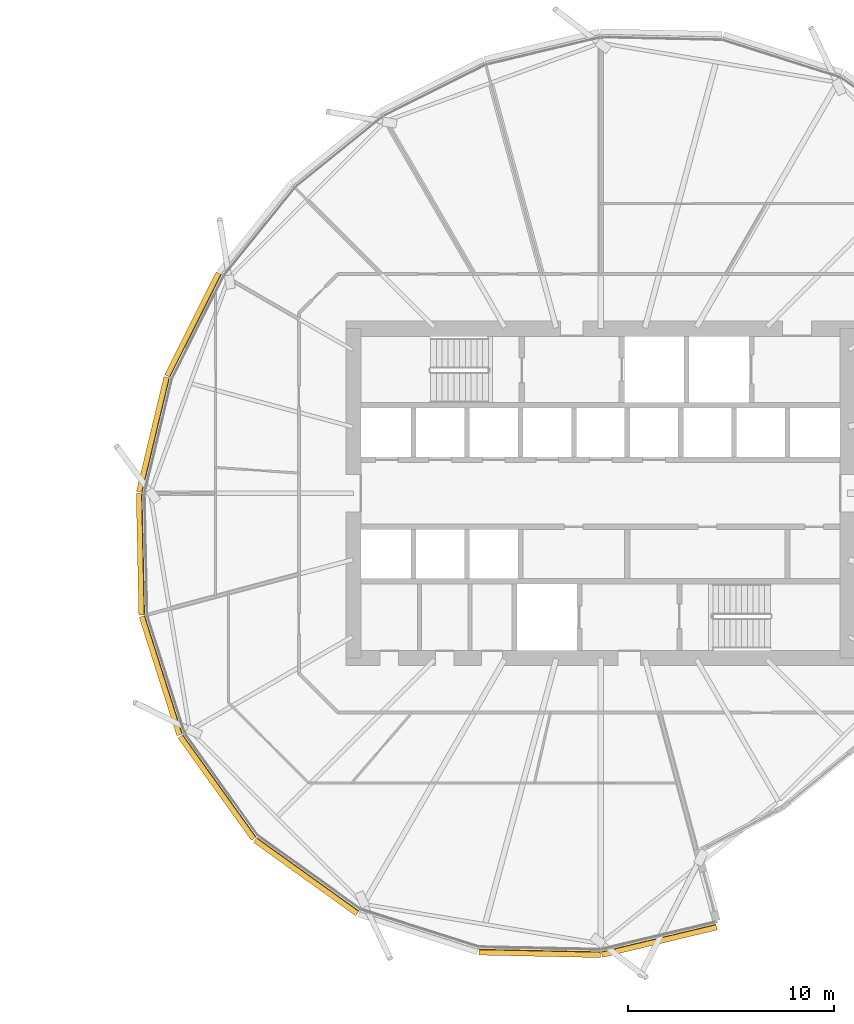
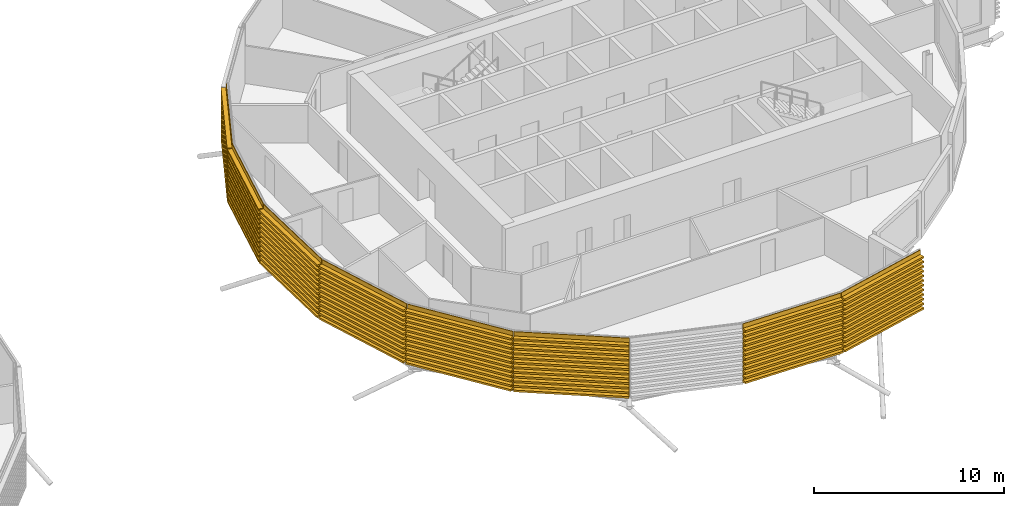
# One storey, part 37 of 39: 8 coverings.
"""IFC4 building model written with IfcOpenShell, lengths in metres."""

from ifc_helpers import new_model, si_unit, direction, frame, origin, place, context, subcontext, project, spatial, polyline, outline, extrude, material, material_profile, profile_set, type_object, element, save


model = new_model("IFC4")

# Units and contexts
model_context = context("Model", 3, precision=1e-05, world=origin(), true_north=direction((0.0, 1.0)))
body_context = subcontext(model_context, "Body", "Model", "MODEL_VIEW")
ifc_project = project(units=[si_unit("LENGTHUNIT", "METRE"), si_unit("AREAUNIT", "SQUARE_METRE"), si_unit("VOLUMEUNIT", "CUBIC_METRE"), si_unit("PLANEANGLEUNIT", "RADIAN"), si_unit("MASSUNIT", "GRAM", prefix="KILO")], contexts=[model_context])

# Site, building, storey
site_placement = place(None, origin())
site = spatial("IfcSite", under=ifc_project, at=site_placement, CompositionType="ELEMENT")
building_placement = place(site_placement, origin())
building = spatial("IfcBuilding", under=site, at=building_placement, Name="Rimbun Link Towers", CompositionType="ELEMENT")
storey_placement = place(building_placement, frame((0.0, 0.0, 100.60009765625)))
storey = spatial("IfcBuildingStorey", under=building, at=storey_placement, Name="L24", CompositionType="ELEMENT", Elevation=100.60009765625)

# Coverings
ifc_material = material(Name="Terracotta", Category="masonry")
ifc_material_profile = material_profile(ifc_material, outline(polyline([(0.123046875, 0.0), (0.1630859375, 0.0), (0.1630859375, 0.10009765625), (0.423095703125, 0.10009765625), (0.423095703125, 0.219970703125), (0.1630859375, 0.219970703125), (0.1630859375, 0.39990234375), (0.423095703125, 0.39990234375), (0.423095703125, 0.52001953125), (0.1630859375, 0.52001953125), (0.1630859375, 0.699951171875), (0.423095703125, 0.699951171875), (0.423095703125, 0.820068359375), (0.1630859375, 0.820068359375), (0.1630859375, 1.0), (0.423095703125, 1.0), (0.423095703125, 1.1201171875), (0.1630859375, 1.1201171875), (0.1630859375, 1.300048828125), (0.423095703125, 1.300048828125), (0.423095703125, 1.419921875), (0.1630859375, 1.419921875), (0.1630859375, 1.60009765625), (0.423095703125, 1.60009765625), (0.423095703125, 1.719970703125), (0.1630859375, 1.719970703125), (0.1630859375, 1.89990234375), (0.423095703125, 1.89990234375), (0.423095703125, 2.02001953125), (0.1630859375, 2.02001953125), (0.1630859375, 2.199951171875), (0.423095703125, 2.199951171875), (0.423095703125, 2.320068359375), (0.1630859375, 2.320068359375), (0.1630859375, 2.5), (0.423095703125, 2.5), (0.423095703125, 2.6201171875), (0.1630859375, 2.6201171875), (0.1630859375, 2.800048828125), (0.423095703125, 2.800048828125), (0.423095703125, 2.919921875), (0.1630859375, 2.919921875), (0.1630859375, 3.10009765625), (0.423095703125, 3.10009765625), (0.423095703125, 3.219970703125), (0.1630859375, 3.219970703125), (0.1630859375, 3.39990234375), (0.423095703125, 3.39990234375), (0.423095703125, 3.52001953125), (0.1630859375, 3.52001953125), (0.1630859375, 3.800048828125), (0.123046875, 3.800048828125), (0.123046875, 0.0)])), Name="BAGUETTE 120X300")
ifc_profile_set = profile_set([ifc_material_profile], Name="Terracotta")
covering_type = type_object("IfcCoveringType", Name="TERRACOTTA BAGUETTE 120X300 H3800", PredefinedType="CLADDING", material=ifc_profile_set)
covering_1_placement = place(storey_placement, frame((10.95361328125, 5.572509765625, 0.0), z_axis=(0.448804983432, 0.893629725807, 0.0), x_axis=(-0.893629725807, 0.448804983432, 0.0)))
element("IfcCovering", 1, at=covering_1_placement, inside=storey, type_object=covering_type, Name="TERRACOTTA BAGUETTE", PredefinedType="CLADDING", context=body_context, shape_type="SweptSolid", body=[
    extrude(outline(polyline([(0.123046875, 0.0), (0.1630859375, 0.0), (0.1630859375, 0.10009765625), (0.423095703125, 0.10009765625), (0.423095703125, 0.219970703125), (0.1630859375, 0.219970703125), (0.1630859375, 0.39990234375), (0.423095703125, 0.39990234375), (0.423095703125, 0.52001953125), (0.1630859375, 0.52001953125), (0.1630859375, 0.699951171875), (0.423095703125, 0.699951171875), (0.423095703125, 0.820068359375), (0.1630859375, 0.820068359375), (0.1630859375, 1.0), (0.423095703125, 1.0), (0.423095703125, 1.1201171875), (0.1630859375, 1.1201171875), (0.1630859375, 1.300048828125), (0.423095703125, 1.300048828125), (0.423095703125, 1.419921875), (0.1630859375, 1.419921875), (0.1630859375, 1.60009765625), (0.423095703125, 1.60009765625), (0.423095703125, 1.719970703125), (0.1630859375, 1.719970703125), (0.1630859375, 1.89990234375), (0.423095703125, 1.89990234375), (0.423095703125, 2.02001953125), (0.1630859375, 2.02001953125), (0.1630859375, 2.199951171875), (0.423095703125, 2.199951171875), (0.423095703125, 2.320068359375), (0.1630859375, 2.320068359375), (0.1630859375, 2.5), (0.423095703125, 2.5), (0.423095703125, 2.6201171875), (0.1630859375, 2.6201171875), (0.1630859375, 2.800048828125), (0.423095703125, 2.800048828125), (0.423095703125, 2.919921875), (0.1630859375, 2.919921875), (0.1630859375, 3.10009765625), (0.423095703125, 3.10009765625), (0.423095703125, 3.219970703125), (0.1630859375, 3.219970703125), (0.1630859375, 3.39990234375), (0.423095703125, 3.39990234375), (0.423095703125, 3.52001953125), (0.1630859375, 3.52001953125), (0.1630859375, 3.800048828125), (0.123046875, 3.800048828125), (0.123046875, 0.0)])), origin(), (0.0, 0.0, 1.0), 5.581787109375),
])
covering_2_placement = place(storey_placement, frame((9.62109375, 0.0, 0.0), z_axis=(0.23256707977, 0.972580358329, 0.0), x_axis=(-0.972580358329, 0.23256707977, 0.0)))
element("IfcCovering", 2, at=covering_2_placement, inside=storey, type_object=covering_type, Name="TERRACOTTA BAGUETTE", PredefinedType="CLADDING", context=body_context, shape_type="SweptSolid", body=[
    extrude(outline(polyline([(0.123046875, 0.0), (0.1630859375, 0.0), (0.1630859375, 0.10009765625), (0.423095703125, 0.10009765625), (0.423095703125, 0.219970703125), (0.1630859375, 0.219970703125), (0.1630859375, 0.39990234375), (0.423095703125, 0.39990234375), (0.423095703125, 0.52001953125), (0.1630859375, 0.52001953125), (0.1630859375, 0.699951171875), (0.423095703125, 0.699951171875), (0.423095703125, 0.820068359375), (0.1630859375, 0.820068359375), (0.1630859375, 1.0), (0.423095703125, 1.0), (0.423095703125, 1.1201171875), (0.1630859375, 1.1201171875), (0.1630859375, 1.300048828125), (0.423095703125, 1.300048828125), (0.423095703125, 1.419921875), (0.1630859375, 1.419921875), (0.1630859375, 1.60009765625), (0.423095703125, 1.60009765625), (0.423095703125, 1.719970703125), (0.1630859375, 1.719970703125), (0.1630859375, 1.89990234375), (0.423095703125, 1.89990234375), (0.423095703125, 2.02001953125), (0.1630859375, 2.02001953125), (0.1630859375, 2.199951171875), (0.423095703125, 2.199951171875), (0.423095703125, 2.320068359375), (0.1630859375, 2.320068359375), (0.1630859375, 2.5), (0.423095703125, 2.5), (0.423095703125, 2.6201171875), (0.1630859375, 2.6201171875), (0.1630859375, 2.800048828125), (0.423095703125, 2.800048828125), (0.423095703125, 2.919921875), (0.1630859375, 2.919921875), (0.1630859375, 3.10009765625), (0.423095703125, 3.10009765625), (0.423095703125, 3.219970703125), (0.1630859375, 3.219970703125), (0.1630859375, 3.39990234375), (0.423095703125, 3.39990234375), (0.423095703125, 3.52001953125), (0.1630859375, 3.52001953125), (0.1630859375, 3.800048828125), (0.123046875, 3.800048828125), (0.123046875, 0.0)])), origin(), (0.0, 0.0, 1.0), 5.7294921875),
])
covering_3_placement = place(storey_placement, frame((9.7451171875, -5.896240234375, 0.0), z_axis=(-0.021029674001, 0.999778851952, 0.0), x_axis=(-0.999778851952, -0.021029674001, 0.0)))
element("IfcCovering", 3, at=covering_3_placement, inside=storey, type_object=covering_type, Name="TERRACOTTA BAGUETTE", PredefinedType="CLADDING", context=body_context, shape_type="SweptSolid", body=[
    extrude(outline(polyline([(0.123046875, 0.0), (0.1630859375, 0.0), (0.1630859375, 0.10009765625), (0.423095703125, 0.10009765625), (0.423095703125, 0.219970703125), (0.1630859375, 0.219970703125), (0.1630859375, 0.39990234375), (0.423095703125, 0.39990234375), (0.423095703125, 0.52001953125), (0.1630859375, 0.52001953125), (0.1630859375, 0.699951171875), (0.423095703125, 0.699951171875), (0.423095703125, 0.820068359375), (0.1630859375, 0.820068359375), (0.1630859375, 1.0), (0.423095703125, 1.0), (0.423095703125, 1.1201171875), (0.1630859375, 1.1201171875), (0.1630859375, 1.300048828125), (0.423095703125, 1.300048828125), (0.423095703125, 1.419921875), (0.1630859375, 1.419921875), (0.1630859375, 1.60009765625), (0.423095703125, 1.60009765625), (0.423095703125, 1.719970703125), (0.1630859375, 1.719970703125), (0.1630859375, 1.89990234375), (0.423095703125, 1.89990234375), (0.423095703125, 2.02001953125), (0.1630859375, 2.02001953125), (0.1630859375, 2.199951171875), (0.423095703125, 2.199951171875), (0.423095703125, 2.320068359375), (0.1630859375, 2.320068359375), (0.1630859375, 2.5), (0.423095703125, 2.5), (0.423095703125, 2.6201171875), (0.1630859375, 2.6201171875), (0.1630859375, 2.800048828125), (0.423095703125, 2.800048828125), (0.423095703125, 2.919921875), (0.1630859375, 2.919921875), (0.1630859375, 3.10009765625), (0.423095703125, 3.10009765625), (0.423095703125, 3.219970703125), (0.1630859375, 3.219970703125), (0.1630859375, 3.39990234375), (0.423095703125, 3.39990234375), (0.423095703125, 3.52001953125), (0.1630859375, 3.52001953125), (0.1630859375, 3.800048828125), (0.123046875, 3.800048828125), (0.123046875, 0.0)])), origin(), (0.0, 0.0, 1.0), 5.8974609375),
])
covering_4_placement = place(storey_placement, frame((11.574462890625, -11.648193359375, 0.0), z_axis=(-0.303080108671, 0.952965082114, 0.0), x_axis=(-0.952965082114, -0.303080108671, 0.0)))
element("IfcCovering", 4, at=covering_4_placement, inside=storey, type_object=covering_type, Name="TERRACOTTA BAGUETTE", PredefinedType="CLADDING", context=body_context, shape_type="SweptSolid", body=[
    extrude(outline(polyline([(0.123046875, 0.0), (0.1630859375, 0.0), (0.1630859375, 0.10009765625), (0.423095703125, 0.10009765625), (0.423095703125, 0.219970703125), (0.1630859375, 0.219970703125), (0.1630859375, 0.39990234375), (0.423095703125, 0.39990234375), (0.423095703125, 0.52001953125), (0.1630859375, 0.52001953125), (0.1630859375, 0.699951171875), (0.423095703125, 0.699951171875), (0.423095703125, 0.820068359375), (0.1630859375, 0.820068359375), (0.1630859375, 1.0), (0.423095703125, 1.0), (0.423095703125, 1.1201171875), (0.1630859375, 1.1201171875), (0.1630859375, 1.300048828125), (0.423095703125, 1.300048828125), (0.423095703125, 1.419921875), (0.1630859375, 1.419921875), (0.1630859375, 1.60009765625), (0.423095703125, 1.60009765625), (0.423095703125, 1.719970703125), (0.1630859375, 1.719970703125), (0.1630859375, 1.89990234375), (0.423095703125, 1.89990234375), (0.423095703125, 2.02001953125), (0.1630859375, 2.02001953125), (0.1630859375, 2.199951171875), (0.423095703125, 2.199951171875), (0.423095703125, 2.320068359375), (0.1630859375, 2.320068359375), (0.1630859375, 2.5), (0.423095703125, 2.5), (0.423095703125, 2.6201171875), (0.1630859375, 2.6201171875), (0.1630859375, 2.800048828125), (0.423095703125, 2.800048828125), (0.423095703125, 2.919921875), (0.1630859375, 2.919921875), (0.1630859375, 3.10009765625), (0.423095703125, 3.10009765625), (0.423095703125, 3.219970703125), (0.1630859375, 3.219970703125), (0.1630859375, 3.39990234375), (0.423095703125, 3.39990234375), (0.423095703125, 3.52001953125), (0.1630859375, 3.52001953125), (0.1630859375, 3.800048828125), (0.123046875, 3.800048828125), (0.123046875, 0.0)])), origin(), (0.0, 0.0, 1.0), 6.035888671875),
])
for number, where, z_axis, x_axis, name in (
    (5, (15.136962890625, -16.613037109375, 0.0), (-0.582990445602, 0.812479009167, 0.0), (-0.812479009167, -0.582990445602, 0.0), "TERRACOTTA BAGUETTE"),
    (6, (20.101806640625, -20.175537109375, 0.0), (-0.812479009167, 0.582990445602, 0.0), (-0.582990445602, -0.812479009167, 0.0), "TERRACOTTA BAGUETTE"),
):
    element("IfcCovering", number, at=place(storey_placement, frame(where, z_axis=z_axis, x_axis=x_axis)), inside=storey, type_object=covering_type, Name=name, PredefinedType="CLADDING", context=body_context, shape_type="SweptSolid", body=[
        extrude(outline(polyline([(0.123046875, 0.0), (0.1630859375, 0.0), (0.1630859375, 0.10009765625), (0.423095703125, 0.10009765625), (0.423095703125, 0.219970703125), (0.1630859375, 0.219970703125), (0.1630859375, 0.39990234375), (0.423095703125, 0.39990234375), (0.423095703125, 0.52001953125), (0.1630859375, 0.52001953125), (0.1630859375, 0.699951171875), (0.423095703125, 0.699951171875), (0.423095703125, 0.820068359375), (0.1630859375, 0.820068359375), (0.1630859375, 1.0), (0.423095703125, 1.0), (0.423095703125, 1.1201171875), (0.1630859375, 1.1201171875), (0.1630859375, 1.300048828125), (0.423095703125, 1.300048828125), (0.423095703125, 1.419921875), (0.1630859375, 1.419921875), (0.1630859375, 1.60009765625), (0.423095703125, 1.60009765625), (0.423095703125, 1.719970703125), (0.1630859375, 1.719970703125), (0.1630859375, 1.89990234375), (0.423095703125, 1.89990234375), (0.423095703125, 2.02001953125), (0.1630859375, 2.02001953125), (0.1630859375, 2.199951171875), (0.423095703125, 2.199951171875), (0.423095703125, 2.320068359375), (0.1630859375, 2.320068359375), (0.1630859375, 2.5), (0.423095703125, 2.5), (0.423095703125, 2.6201171875), (0.1630859375, 2.6201171875), (0.1630859375, 2.800048828125), (0.423095703125, 2.800048828125), (0.423095703125, 2.919921875), (0.1630859375, 2.919921875), (0.1630859375, 3.10009765625), (0.423095703125, 3.10009765625), (0.423095703125, 3.219970703125), (0.1630859375, 3.219970703125), (0.1630859375, 3.39990234375), (0.423095703125, 3.39990234375), (0.423095703125, 3.52001953125), (0.1630859375, 3.52001953125), (0.1630859375, 3.800048828125), (0.123046875, 3.800048828125), (0.123046875, 0.0)])), origin(), (0.0, 0.0, 1.0), 6.11083984375),
    ])
covering_5_placement = place(storey_placement, frame((31.75, -22.12890625, 0.0), z_axis=(-0.999778851952, 0.021029674001, 0.0), x_axis=(-0.021029674001, -0.999778851952, 0.0)))
element("IfcCovering", 7, at=covering_5_placement, inside=storey, type_object=covering_type, Name="TERRACOTTA BAGUETTE", PredefinedType="CLADDING", context=body_context, shape_type="SweptSolid", body=[
    extrude(outline(polyline([(0.123046875, 0.0), (0.1630859375, 0.0), (0.1630859375, 0.10009765625), (0.423095703125, 0.10009765625), (0.423095703125, 0.219970703125), (0.1630859375, 0.219970703125), (0.1630859375, 0.39990234375), (0.423095703125, 0.39990234375), (0.423095703125, 0.52001953125), (0.1630859375, 0.52001953125), (0.1630859375, 0.699951171875), (0.423095703125, 0.699951171875), (0.423095703125, 0.820068359375), (0.1630859375, 0.820068359375), (0.1630859375, 1.0), (0.423095703125, 1.0), (0.423095703125, 1.1201171875), (0.1630859375, 1.1201171875), (0.1630859375, 1.300048828125), (0.423095703125, 1.300048828125), (0.423095703125, 1.419921875), (0.1630859375, 1.419921875), (0.1630859375, 1.60009765625), (0.423095703125, 1.60009765625), (0.423095703125, 1.719970703125), (0.1630859375, 1.719970703125), (0.1630859375, 1.89990234375), (0.423095703125, 1.89990234375), (0.423095703125, 2.02001953125), (0.1630859375, 2.02001953125), (0.1630859375, 2.199951171875), (0.423095703125, 2.199951171875), (0.423095703125, 2.320068359375), (0.1630859375, 2.320068359375), (0.1630859375, 2.5), (0.423095703125, 2.5), (0.423095703125, 2.6201171875), (0.1630859375, 2.6201171875), (0.1630859375, 2.800048828125), (0.423095703125, 2.800048828125), (0.423095703125, 2.919921875), (0.1630859375, 2.919921875), (0.1630859375, 3.10009765625), (0.423095703125, 3.10009765625), (0.423095703125, 3.219970703125), (0.1630859375, 3.219970703125), (0.1630859375, 3.39990234375), (0.423095703125, 3.39990234375), (0.423095703125, 3.52001953125), (0.1630859375, 3.52001953125), (0.1630859375, 3.800048828125), (0.123046875, 3.800048828125), (0.123046875, 0.0)])), origin(), (0.0, 0.0, 1.0), 5.8974609375),
])
covering_6_placement = place(storey_placement, frame((37.322509765625, -20.79638671875, 0.0), z_axis=(-0.972580358329, -0.23256707977, 0.0), x_axis=(0.23256707977, -0.972580358329, 0.0)))
element("IfcCovering", 8, at=covering_6_placement, inside=storey, type_object=covering_type, Name="TERRACOTTA BAGUETTE", PredefinedType="CLADDING", context=body_context, shape_type="SweptSolid", body=[
    extrude(outline(polyline([(0.123046875, 0.0), (0.1630859375, 0.0), (0.1630859375, 0.10009765625), (0.423095703125, 0.10009765625), (0.423095703125, 0.219970703125), (0.1630859375, 0.219970703125), (0.1630859375, 0.39990234375), (0.423095703125, 0.39990234375), (0.423095703125, 0.52001953125), (0.1630859375, 0.52001953125), (0.1630859375, 0.699951171875), (0.423095703125, 0.699951171875), (0.423095703125, 0.820068359375), (0.1630859375, 0.820068359375), (0.1630859375, 1.0), (0.423095703125, 1.0), (0.423095703125, 1.1201171875), (0.1630859375, 1.1201171875), (0.1630859375, 1.300048828125), (0.423095703125, 1.300048828125), (0.423095703125, 1.419921875), (0.1630859375, 1.419921875), (0.1630859375, 1.60009765625), (0.423095703125, 1.60009765625), (0.423095703125, 1.719970703125), (0.1630859375, 1.719970703125), (0.1630859375, 1.89990234375), (0.423095703125, 1.89990234375), (0.423095703125, 2.02001953125), (0.1630859375, 2.02001953125), (0.1630859375, 2.199951171875), (0.423095703125, 2.199951171875), (0.423095703125, 2.320068359375), (0.1630859375, 2.320068359375), (0.1630859375, 2.5), (0.423095703125, 2.5), (0.423095703125, 2.6201171875), (0.1630859375, 2.6201171875), (0.1630859375, 2.800048828125), (0.423095703125, 2.800048828125), (0.423095703125, 2.919921875), (0.1630859375, 2.919921875), (0.1630859375, 3.10009765625), (0.423095703125, 3.10009765625), (0.423095703125, 3.219970703125), (0.1630859375, 3.219970703125), (0.1630859375, 3.39990234375), (0.423095703125, 3.39990234375), (0.423095703125, 3.52001953125), (0.1630859375, 3.52001953125), (0.1630859375, 3.800048828125), (0.123046875, 3.800048828125), (0.123046875, 0.0)])), origin(), (0.0, 0.0, 1.0), 5.7294921875),
])

save(model, "model.ifc")
